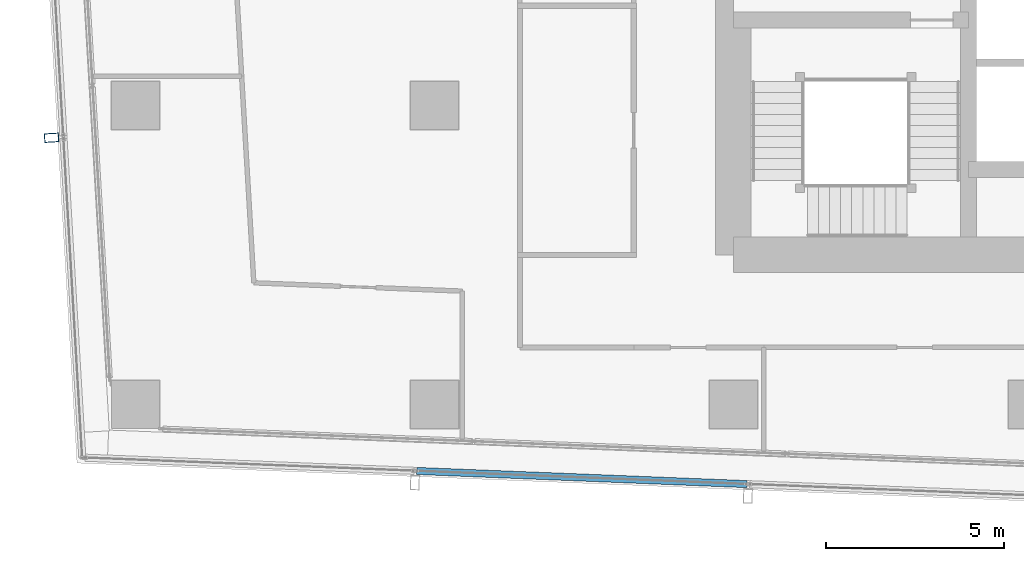
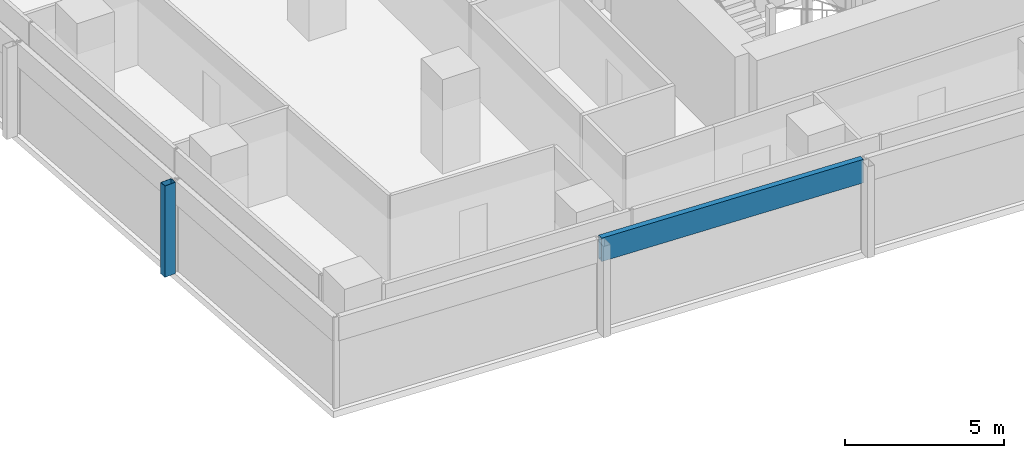
# One storey, part 4 of 38: 2 members, 2 elements without a shape of their own.
"""IFC4 building model written with IfcOpenShell, lengths in metres."""

from ifc_helpers import new_model, si_unit, direction, frame, origin, origin_2d, place, context, subcontext, project, spatial, hollow_rectangle, extrude, material, material_profile, profile_set, type_object, element, aggregate, save


model = new_model("IFC4")

# Units and contexts
model_context = context("Model", 3, precision=1e-05, world=origin(), true_north=direction((0.0, 1.0)))
body_context = subcontext(model_context, "Body", "Model", "MODEL_VIEW")
ifc_project = project(units=[si_unit("LENGTHUNIT", "METRE"), si_unit("AREAUNIT", "SQUARE_METRE"), si_unit("VOLUMEUNIT", "CUBIC_METRE"), si_unit("PLANEANGLEUNIT", "RADIAN"), si_unit("MASSUNIT", "GRAM", prefix="KILO")], contexts=[model_context])

# Site, building, storey
site_placement = place(None, origin())
site = spatial("IfcSite", under=ifc_project, at=site_placement, CompositionType="ELEMENT")
building_placement = place(site_placement, origin())
building = spatial("IfcBuilding", under=site, at=building_placement, Name="Rekha Terrace Tower", CompositionType="ELEMENT")
storey_placement = place(building_placement, frame((0.0, 0.0, 198.949951171875)))
storey = spatial("IfcBuildingStorey", under=building, at=storey_placement, Name="L50", CompositionType="ELEMENT", Elevation=198.949951171875)

# Curtain wall, member
ifc_material_1 = material(Name="Aluminium framing", Category="aluminium")
curtain_wall_type = type_object("IfcCurtainWallType", Name="CW2 double skin outer glazing", PredefinedType="USERDEFINED", material=ifc_material_1)
curtain_wall_1_placement = place(storey_placement, origin())
curtain_wall_1 = element("IfcCurtainWall", 1, at=curtain_wall_1_placement, inside=storey, type_object=curtain_wall_type, Name="CW2 double skin outer glazing", ObjectType="DOUBLE SKIN OUTER GLAZING", PredefinedType="USERDEFINED")
ifc_material_2 = material(Name="Steel S355 with fluorocarbon finish", Category="steel")
ifc_material_profile_1 = material_profile(ifc_material_2, hollow_rectangle(XDim=0.25, YDim=0.39990234375, WallThickness=0.012451171875, at=origin_2d()), Name="RHS400x250x12.5")
ifc_profile_set_1 = profile_set([ifc_material_profile_1], Name="Steel S355 with fluorocarbon finish")
member_type_1 = type_object("IfcMemberType", Name="BL1 facade blade RHS 400 x 250", PredefinedType="USERDEFINED", material=ifc_profile_set_1)
member_1_placement = place(storey_placement, frame((6.03662109375, 24.292236328125, 0.0), z_axis=(0.0, 0.0, 1.0), x_axis=(0.058764522885, -0.998271872212, 0.0)))
member_1 = element("IfcMember", 2, at=member_1_placement, type_object=member_type_1, Name="Facade blade", ObjectType="FACADE BLADE", PredefinedType="USERDEFINED", context=body_context, shape_type="SweptSolid", body=[
    extrude(hollow_rectangle(XDim=0.25, YDim=0.39990234375, WallThickness=0.012451171875, at=origin_2d()), origin(), (0.0, 0.0, 1.0), 3.5),
])
aggregate(curtain_wall_1, [member_1])

curtain_wall_2_placement = place(storey_placement, origin())
curtain_wall_2 = element("IfcCurtainWall", 3, at=curtain_wall_2_placement, inside=storey, type_object=curtain_wall_type, Name="CW2 double skin outer glazing", ObjectType="DOUBLE SKIN OUTER GLAZING", PredefinedType="USERDEFINED")
ifc_material_3 = material(Name="Insulated aluminium spandrel box", Category="aluminium")
ifc_material_profile_2 = material_profile(ifc_material_3, hollow_rectangle(XDim=0.199951171875, YDim=0.89990234375, WallThickness=0.0029296875, at=origin_2d()), Name="AL SPANDREL BOX 200x900")
ifc_profile_set_2 = profile_set([ifc_material_profile_2], Name="Insulated aluminium spandrel box")
member_type_2 = type_object("IfcMemberType", Name="CW2 spandrel transom 200 x 900", PredefinedType="USERDEFINED", material=ifc_profile_set_2)
member_2_placement = place(storey_placement, frame((16.2998046875, 14.928955078125, 3.050048828125), z_axis=(0.999205404308, -0.039856743486, 0.0), x_axis=(0.039856743486, 0.999205404308, 0.0)))
member_2 = element("IfcMember", 4, at=member_2_placement, type_object=member_type_2, Name="CW2 spandrel transom 2", ObjectType="TRANSOM", PredefinedType="USERDEFINED", context=body_context, shape_type="SweptSolid", body=[
    extrude(hollow_rectangle(XDim=0.199951171875, YDim=0.89990234375, WallThickness=0.0029296875, at=origin_2d()), origin(), (0.0, 0.0, 1.0), 9.2861328125),
])
aggregate(curtain_wall_2, [member_2])

save(model, "model.ifc")
